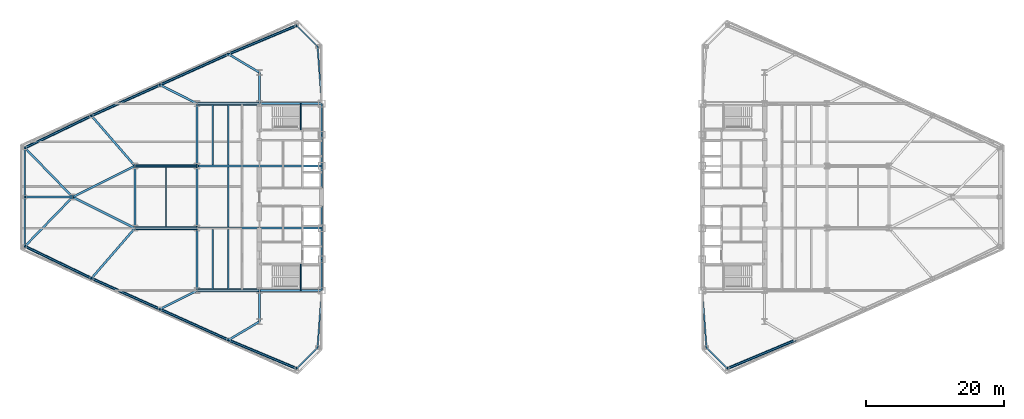
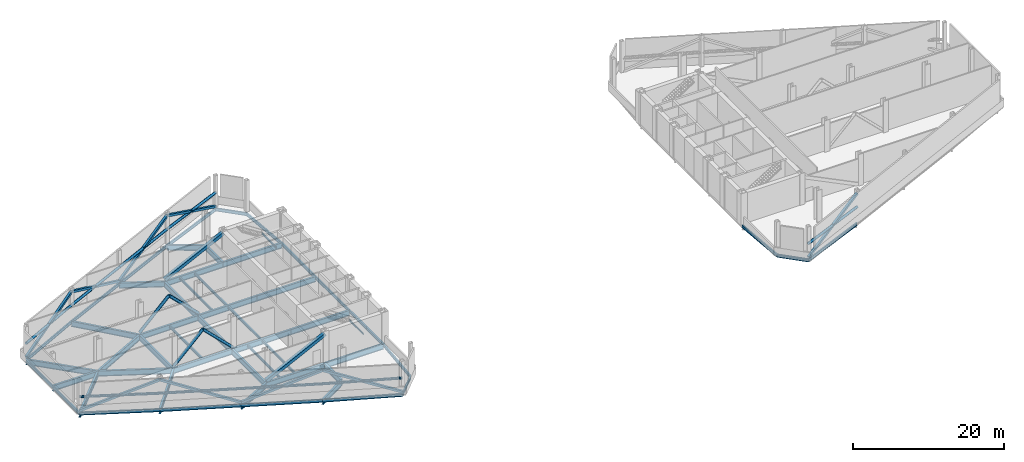
# One storey, part 3 of 11: 57 beams, 24 members.
"""IFC4 building model written with IfcOpenShell, lengths in metres."""

from ifc_helpers import new_model, si_unit, direction, frame, origin, origin_2d, place, context, subcontext, project, spatial, hollow_rectangle, hollow_circle, i_section, extrude, source, transform, mapped, material, material_profile, profile_set, type_object, type_shapes, element, save


model = new_model("IFC4")

# Units and contexts
model_context = context("Model", 3, precision=1e-05, world=origin(), true_north=direction((0.0, 1.0)))
body_context = subcontext(model_context, "Body", "Model", "MODEL_VIEW")
ifc_project = project(units=[si_unit("LENGTHUNIT", "METRE"), si_unit("AREAUNIT", "SQUARE_METRE"), si_unit("VOLUMEUNIT", "CUBIC_METRE"), si_unit("PLANEANGLEUNIT", "RADIAN"), si_unit("MASSUNIT", "GRAM", prefix="KILO")], contexts=[model_context])

# Site, building, storey
site_placement = place(None, origin())
site = spatial("IfcSite", under=ifc_project, at=site_placement, CompositionType="ELEMENT")
building_placement = place(site_placement, origin())
building = spatial("IfcBuilding", under=site, at=building_placement, Name="Seokmaru Belvedere", CompositionType="ELEMENT")
storey_placement = place(building_placement, frame((0.0, 0.0, 87.300048828125)))
storey = spatial("IfcBuildingStorey", under=building, at=storey_placement, Name="L23", CompositionType="ELEMENT", Elevation=87.300048828125)

# Beams
ifc_material_1 = material(Name="Steel SM355 (355 MPa)", Category="steel")
ifc_material_profile_1 = material_profile(ifc_material_1, i_section(OverallWidth=0.199951171875, OverallDepth=0.5, WebThickness=0.010009765625, FlangeThickness=0.01611328125, at=origin_2d()), Name="H-500x200x10x16")
ifc_profile_set_1 = profile_set([ifc_material_profile_1], Name="Steel SM355 (355 MPa)")
beam_type_1 = type_object("IfcBeamType", Name="Perimeter Spandrel Beam H-500", PredefinedType="SPANDREL", material=ifc_profile_set_1)
shared_shape_1 = source(origin(), body_context, "Body", "SweptSolid", [
    extrude(i_section(OverallWidth=0.199951171875, OverallDepth=0.5, WebThickness=0.010009765625, FlangeThickness=0.01611328125, at=origin_2d()), origin(), (0.0, 0.0, 1.0), 4.5),
])
for number, where, z_axis, x_axis, name in (
    (1, (-27.5, -13.5, -0.510009765625), (0.0, 1.0, 0.0), (-1.0, 0.0, 0.0), "L23 W Portal Spine Spandrel 1"),
    (2, (-27.5, -9.0, -0.510009765625), (0.0, 1.0, 0.0), (-1.0, 0.0, 0.0), "L23 W Portal Spine Spandrel 2"),
    (3, (-27.5, 4.5, -0.510009765625), (0.0, 1.0, 0.0), (-1.0, 0.0, 0.0), "L23 W Portal Spine Spandrel 4"),
    (4, (-27.5, 9.0, -0.510009765625), (0.0, 1.0, 0.0), (-1.0, 0.0, 0.0), "L23 W Portal Spine Spandrel 5"),
):
    element("IfcBeam", number, at=place(storey_placement, frame(where, z_axis=z_axis, x_axis=x_axis)), inside=storey, type_object=beam_type_1, Name=name, PredefinedType="SPANDREL", context=body_context, shape_type="MappedRepresentation", body=[
        mapped(shared_shape_1, transform((0.0, 0.0, 0.0), scale=1.0)),
    ])
shared_shape_2 = source(origin(), body_context, "Body", "SweptSolid", [
    extrude(i_section(OverallWidth=0.199951171875, OverallDepth=0.5, WebThickness=0.010009765625, FlangeThickness=0.01611328125, at=origin_2d()), origin(), (0.0, 0.0, 1.0), 9.0),
])
beam_1_placement = place(storey_placement, frame((-27.5, -4.5, -0.510009765625), z_axis=(0.0, 1.0, 0.0), x_axis=(-1.0, 0.0, 0.0)))
element("IfcBeam", 5, at=beam_1_placement, inside=storey, type_object=beam_type_1, Name="L23 W Portal Spine Spandrel 3", PredefinedType="SPANDREL", context=body_context, shape_type="MappedRepresentation", body=[
    mapped(shared_shape_2, transform((0.0, 0.0, 0.0), scale=1.0)),
])
shared_shape_3 = source(origin(), body_context, "Body", "SweptSolid", [
    extrude(i_section(OverallWidth=0.199951171875, OverallDepth=0.5, WebThickness=0.010009765625, FlangeThickness=0.01611328125, at=origin_2d()), origin(), (0.0, 0.0, 1.0), 10.66943359375),
])
for number, where, z_axis, x_axis, name in (
    (6, (-31.13134765625, -24.782958984375, -0.510009765625), (-0.922375393128, 0.386294750355, 0.0), (-0.386294750355, -0.922375393128, 0.0), "L23 W Faceted Flank Spandrel S-1"),
    (7, (-31.13134765625, 24.782958984375, -0.510009765625), (-0.922375393128, -0.386294750355, 0.0), (0.386294750355, -0.922375393128, 0.0), "L23 W Faceted Flank Spandrel N-1"),
    (8, (31.13134765625, -24.782958984375, -0.510009765625), (0.922375393128, 0.386294750355, 0.0), (-0.386294750355, 0.922375393128, 0.0), "L23 E Faceted Flank Spandrel S-1"),
):
    element("IfcBeam", number, at=place(storey_placement, frame(where, z_axis=z_axis, x_axis=x_axis)), inside=storey, type_object=beam_type_1, Name=name, PredefinedType="SPANDREL", context=body_context, shape_type="MappedRepresentation", body=[
        mapped(shared_shape_3, transform((0.0, 0.0, 0.0), scale=1.0)),
    ])
shared_shape_4 = source(origin(), body_context, "Body", "SweptSolid", [
    extrude(i_section(OverallWidth=0.199951171875, OverallDepth=0.5, WebThickness=0.010009765625, FlangeThickness=0.01611328125, at=origin_2d()), origin(), (0.0, 0.0, 1.0), 10.85888671875),
])
for number, where, z_axis, x_axis, name in (
    (9, (-40.97265625, -20.661376953125, -0.510009765625), (-0.911921505175, 0.410364677329, 0.0), (-0.410364677329, -0.911921505175, 0.0), "L23 W Faceted Flank Spandrel S-2"),
    (10, (-50.875, -16.205322265625, -0.510009765625), (-0.911925291223, 0.410356263785, 0.0), (-0.410356263785, -0.911925291223, 0.0), "L23 W Faceted Flank Spandrel S-3"),
    (11, (-40.97265625, 20.661376953125, -0.510009765625), (-0.911921505175, -0.410364677329, 0.0), (0.410364677329, -0.911921505175, 0.0), "L23 W Faceted Flank Spandrel N-2"),
    (12, (-50.875, 16.205322265625, -0.510009765625), (-0.911925291223, -0.410356263785, 0.0), (0.410356263785, -0.911925291223, 0.0), "L23 W Faceted Flank Spandrel N-3"),
):
    element("IfcBeam", number, at=place(storey_placement, frame(where, z_axis=z_axis, x_axis=x_axis)), inside=storey, type_object=beam_type_1, Name=name, PredefinedType="SPANDREL", context=body_context, shape_type="MappedRepresentation", body=[
        mapped(shared_shape_4, transform((0.0, 0.0, 0.0), scale=1.0)),
    ])
shared_shape_5 = source(origin(), body_context, "Body", "SweptSolid", [
    extrude(i_section(OverallWidth=0.199951171875, OverallDepth=0.5, WebThickness=0.010009765625, FlangeThickness=0.01611328125, at=origin_2d()), origin(), (0.0, 0.0, 1.0), 10.681396484375),
])
for number, where, z_axis, x_axis, name in (
    (13, (-60.777587890625, -11.749267578125, -0.510009765625), (-0.900846426616, 0.434137899352, 0.0), (-0.434137899352, -0.900846426616, 0.0), "L23 W Faceted Flank Spandrel S-4"),
    (14, (-60.777587890625, 11.749267578125, -0.510009765625), (-0.900846426616, -0.434137899352, 0.0), (0.434137899352, -0.900846426616, 0.0), "L23 W Faceted Flank Spandrel N-4"),
):
    element("IfcBeam", number, at=place(storey_placement, frame(where, z_axis=z_axis, x_axis=x_axis)), inside=storey, type_object=beam_type_1, Name=name, PredefinedType="SPANDREL", context=body_context, shape_type="MappedRepresentation", body=[
        mapped(shared_shape_5, transform((0.0, 0.0, 0.0), scale=1.0)),
    ])
shared_shape_6 = source(origin(), body_context, "Body", "SweptSolid", [
    extrude(i_section(OverallWidth=0.199951171875, OverallDepth=0.5, WebThickness=0.010009765625, FlangeThickness=0.01611328125, at=origin_2d()), origin(), (0.0, 0.0, 1.0), 7.112060546875),
])
for number, where, z_axis, x_axis, name in (
    (15, (-70.39990234375, -7.112060546875, -0.510009765625), (0.0, 1.0, 0.0), (-1.0, 0.0, 0.0), "L23 W Faceted Apex Spandrel S"),
    (16, (-70.39990234375, 0.0, -0.510009765625), (0.0, 1.0, 0.0), (-1.0, 0.0, 0.0), "L23 W Faceted Apex Spandrel N"),
):
    element("IfcBeam", number, at=place(storey_placement, frame(where, z_axis=z_axis, x_axis=x_axis)), inside=storey, type_object=beam_type_1, Name=name, PredefinedType="SPANDREL", context=body_context, shape_type="MappedRepresentation", body=[
        mapped(shared_shape_6, transform((0.0, 0.0, 0.0), scale=1.0)),
    ])
shared_shape_7 = source(origin(), body_context, "Body", "SweptSolid", [
    extrude(i_section(OverallWidth=0.199951171875, OverallDepth=0.5, WebThickness=0.010009765625, FlangeThickness=0.01611328125, at=origin_2d()), origin(), (0.0, 0.0, 1.0), 4.287109375),
])
for number, where, z_axis, x_axis, name in (
    (17, (-31.13134765625, -24.782958984375, -0.510009765625), (0.707078306132, 0.707135255094, 0.0), (-0.707135255094, 0.707078306132, 0.0), "L23 W Shoulder Chamfer Spandrel S"),
    (18, (-31.13134765625, 24.782958984375, -0.510009765625), (0.707078306132, -0.707135255094, 0.0), (0.707135255094, 0.707078306132, 0.0), "L23 W Shoulder Chamfer Spandrel N"),
    (19, (31.13134765625, -24.782958984375, -0.510009765625), (-0.707078306132, 0.707135255094, 0.0), (-0.707135255094, -0.707078306132, 0.0), "L23 E Shoulder Chamfer Spandrel S"),
):
    element("IfcBeam", number, at=place(storey_placement, frame(where, z_axis=z_axis, x_axis=x_axis)), inside=storey, type_object=beam_type_1, Name=name, PredefinedType="SPANDREL", context=body_context, shape_type="MappedRepresentation", body=[
        mapped(shared_shape_7, transform((0.0, 0.0, 0.0), scale=1.0)),
    ])
shared_shape_8 = source(origin(), body_context, "Body", "SweptSolid", [
    extrude(i_section(OverallWidth=0.199951171875, OverallDepth=0.5, WebThickness=0.010009765625, FlangeThickness=0.01611328125, at=origin_2d()), origin(), (0.0, 0.0, 1.0), 8.273193359375),
])
type_shapes(beam_type_1, [shared_shape_1, shared_shape_2, shared_shape_3, shared_shape_4, shared_shape_5, shared_shape_6, shared_shape_7, shared_shape_8])
for number, where, z_axis, x_axis, name in (
    (20, (-28.10009765625, -21.75146484375, -0.510009765625), (0.072534628348, 0.99736589459, 0.0), (-0.99736589459, 0.072534628348, 0.0), "L23 W Shoulder Spine Spandrel S"),
    (21, (-28.10009765625, 21.75146484375, -0.510009765625), (0.072534628348, -0.99736589459, 0.0), (0.99736589459, 0.072534628348, 0.0), "L23 W Shoulder Spine Spandrel N"),
    (22, (28.10009765625, -21.75146484375, -0.510009765625), (-0.072534628348, 0.99736589459, 0.0), (-0.99736589459, -0.072534628348, 0.0), "L23 E Shoulder Spine Spandrel S"),
):
    element("IfcBeam", number, at=place(storey_placement, frame(where, z_axis=z_axis, x_axis=x_axis)), inside=storey, type_object=beam_type_1, Name=name, PredefinedType="SPANDREL", context=body_context, shape_type="MappedRepresentation", body=[
        mapped(shared_shape_8, transform((0.0, 0.0, 0.0), scale=1.0)),
    ])
ifc_material_profile_2 = material_profile(ifc_material_1, i_section(OverallWidth=0.300048828125, OverallDepth=0.89990234375, WebThickness=0.01611328125, FlangeThickness=0.028076171875, at=origin_2d()), Name="H-900x300x16x28")
ifc_profile_set_2 = profile_set([ifc_material_profile_2], Name="Steel SM355 (355 MPa)")
beam_type_2 = type_object("IfcBeamType", Name="Refuge Floor Girder H-900", PredefinedType="BEAM", material=ifc_profile_set_2)
shared_shape_9 = source(origin(), body_context, "Body", "SweptSolid", [
    extrude(i_section(OverallWidth=0.300048828125, OverallDepth=0.89990234375, WebThickness=0.01611328125, FlangeThickness=0.028076171875, at=origin_2d()), origin(), (0.0, 0.0, 1.0), 4.5),
])
for number, where, z_axis, x_axis, name in (
    (23, (-36.5, -18.0, -0.7099609375), (0.0, 1.0, 0.0), (-1.0, 0.0, 0.0), "L23 W Core Shoulder Girder S"),
    (24, (-36.5, 13.5, -0.7099609375), (0.0, 1.0, 0.0), (-1.0, 0.0, 0.0), "L23 W Core Shoulder Girder N"),
):
    element("IfcBeam", number, at=place(storey_placement, frame(where, z_axis=z_axis, x_axis=x_axis)), inside=storey, type_object=beam_type_2, Name=name, PredefinedType="BEAM", context=body_context, shape_type="MappedRepresentation", body=[
        mapped(shared_shape_9, transform((0.0, 0.0, 0.0), scale=1.0)),
    ])
shared_shape_10 = source(origin(), body_context, "Body", "SweptSolid", [
    extrude(i_section(OverallWidth=0.300048828125, OverallDepth=0.89990234375, WebThickness=0.01611328125, FlangeThickness=0.028076171875, at=origin_2d()), origin(), (0.0, 0.0, 1.0), 9.0),
])
for number, where, z_axis, x_axis, name in (
    (25, (-45.5, -13.5, -0.7099609375), (0.0, 1.0, 0.0), (-1.0, 0.0, 0.0), "L23 W Interior Grid Girder 1"),
    (26, (-45.5, -4.5, -0.7099609375), (0.0, 1.0, 0.0), (-1.0, 0.0, 0.0), "L23 W Interior Grid Girder 2"),
    (27, (-45.5, 4.5, -0.7099609375), (0.0, 1.0, 0.0), (-1.0, 0.0, 0.0), "L23 W Interior Grid Girder 3"),
    (28, (-36.5, -13.5, -0.7099609375), (1.0, 0.0, 0.0), (0.0, 1.0, 0.0), "L23 W Core Tie Girder 1"),
    (29, (-45.5, -13.5, -0.7099609375), (1.0, 0.0, 0.0), (0.0, 1.0, 0.0), "L23 W Wing Primary Girder 1"),
    (30, (-36.5, -4.5, -0.7099609375), (1.0, 0.0, 0.0), (0.0, 1.0, 0.0), "L23 W Core Tie Girder 2"),
    (31, (-45.5, -4.5, -0.7099609375), (1.0, 0.0, 0.0), (0.0, 1.0, 0.0), "L23 W Wing Primary Girder 2"),
    (32, (-36.5, 4.5, -0.7099609375), (1.0, 0.0, 0.0), (0.0, 1.0, 0.0), "L23 W Core Tie Girder 3"),
    (33, (-45.5, 4.5, -0.7099609375), (1.0, 0.0, 0.0), (0.0, 1.0, 0.0), "L23 W Wing Primary Girder 3"),
    (34, (-36.5, 13.5, -0.7099609375), (1.0, 0.0, 0.0), (0.0, 1.0, 0.0), "L23 W Core Tie Girder 4"),
    (35, (-45.5, 13.5, -0.7099609375), (1.0, 0.0, 0.0), (0.0, 1.0, 0.0), "L23 W Wing Primary Girder 4"),
    (36, (-54.5, -4.5, -0.7099609375), (1.0, 0.0, 0.0), (0.0, 1.0, 0.0), "L23 W Outer Wing Girder 1"),
    (37, (-54.5, 4.5, -0.7099609375), (1.0, 0.0, 0.0), (0.0, 1.0, 0.0), "L23 W Outer Wing Girder 2"),
    (38, (-54.5, -4.5, -0.7099609375), (0.0, 1.0, 0.0), (-1.0, 0.0, 0.0), "L23 W Apex Frame Girder"),
):
    element("IfcBeam", number, at=place(storey_placement, frame(where, z_axis=z_axis, x_axis=x_axis)), inside=storey, type_object=beam_type_2, Name=name, PredefinedType="BEAM", context=body_context, shape_type="MappedRepresentation", body=[
        mapped(shared_shape_10, transform((0.0, 0.0, 0.0), scale=1.0)),
    ])
shared_shape_11 = source(origin(), body_context, "Body", "SweptSolid", [
    extrude(i_section(OverallWidth=0.300048828125, OverallDepth=0.89990234375, WebThickness=0.01611328125, FlangeThickness=0.028076171875, at=origin_2d()), origin(), (0.0, 0.0, 1.0), 10.062255859375),
])
for number, where, z_axis, x_axis, name in (
    (39, (-54.5, -4.5, -0.7099609375), (-0.894427191, 0.4472135955, 0.0), (-0.4472135955, -0.894427191, 0.0), "L23 W Apex Converging Girder 1"),
    (40, (-54.5, 4.5, -0.7099609375), (-0.894427191, -0.4472135955, 0.0), (0.4472135955, -0.894427191, 0.0), "L23 W Apex Converging Girder 2"),
):
    element("IfcBeam", number, at=place(storey_placement, frame(where, z_axis=z_axis, x_axis=x_axis)), inside=storey, type_object=beam_type_2, Name=name, PredefinedType="BEAM", context=body_context, shape_type="MappedRepresentation", body=[
        mapped(shared_shape_11, transform((0.0, 0.0, 0.0), scale=1.0)),
    ])
ifc_material_profile_3 = material_profile(ifc_material_1, i_section(OverallWidth=0.199951171875, OverallDepth=0.39990234375, WebThickness=0.008056640625, FlangeThickness=0.012939453125, at=origin_2d()), Name="H-400x200x8x13")
ifc_profile_set_3 = profile_set([ifc_material_profile_3], Name="Steel SM355 (355 MPa)")
beam_type_3 = type_object("IfcBeamType", Name="Secondary Floor Joist H-400", PredefinedType="JOIST", material=ifc_profile_set_3)
shared_shape_12 = source(origin(), body_context, "Body", "SweptSolid", [
    extrude(i_section(OverallWidth=0.199951171875, OverallDepth=0.39990234375, WebThickness=0.008056640625, FlangeThickness=0.012939453125, at=origin_2d()), origin(), (0.0, 0.0, 1.0), 8.68994140625),
])
type_shapes(beam_type_3, [shared_shape_12])
for number, where, z_axis, x_axis, name in (
    (41, (-43.25, -13.344970703125, -0.4599609375), (0.0, 1.0, 0.0), (-1.0, 0.0, 0.0), "L23 W Wing Inner Secondary Joist 1"),
    (42, (-43.25, 4.655029296875, -0.4599609375), (0.0, 1.0, 0.0), (-1.0, 0.0, 0.0), "L23 W Wing Inner Secondary Joist 2"),
    (43, (-41.0, -13.344970703125, -0.4599609375), (0.0, 1.0, 0.0), (-1.0, 0.0, 0.0), "L23 W Secondary Floor Joist 1"),
    (44, (-41.0, -4.344970703125, -0.4599609375), (0.0, 1.0, 0.0), (-1.0, 0.0, 0.0), "L23 W Secondary Floor Joist 2"),
    (45, (-41.0, 4.655029296875, -0.4599609375), (0.0, 1.0, 0.0), (-1.0, 0.0, 0.0), "L23 W Secondary Floor Joist 3"),
    (46, (-50.0, -4.344970703125, -0.4599609375), (0.0, 1.0, 0.0), (-1.0, 0.0, 0.0), "L23 W Outer Bay Secondary Joist"),
):
    element("IfcBeam", number, at=place(storey_placement, frame(where, z_axis=z_axis, x_axis=x_axis)), inside=storey, type_object=beam_type_3, Name=name, PredefinedType="JOIST", context=body_context, shape_type="MappedRepresentation", body=[
        mapped(shared_shape_12, transform((0.0, 0.0, 0.0), scale=1.0)),
    ])
shared_shape_13 = source(origin(), body_context, "Body", "SweptSolid", [
    extrude(i_section(OverallWidth=0.300048828125, OverallDepth=0.89990234375, WebThickness=0.01611328125, FlangeThickness=0.028076171875, at=origin_2d()), origin(), (0.0, 0.0, 1.0), 5.20458984375),
])
for number, where, z_axis, x_axis, name in (
    (47, (-40.97265625, -20.661376953125, -0.7099609375), (0.859370434188, 0.511353553662, 0.0), (-0.511353553662, 0.859370434188, 0.0), "L23 W Flank Radial Floor Girder S-1"),
    (48, (-40.97265625, 20.661376953125, -0.7099609375), (0.859370434188, -0.511353553662, 0.0), (0.511353553662, 0.859370434188, 0.0), "L23 W Flank Radial Floor Girder N-1"),
):
    element("IfcBeam", number, at=place(storey_placement, frame(where, z_axis=z_axis, x_axis=x_axis)), inside=storey, type_object=beam_type_2, Name=name, PredefinedType="BEAM", context=body_context, shape_type="MappedRepresentation", body=[
        mapped(shared_shape_13, transform((0.0, 0.0, 0.0), scale=1.0)),
    ])
shared_shape_14 = source(origin(), body_context, "Body", "SweptSolid", [
    extrude(i_section(OverallWidth=0.300048828125, OverallDepth=0.89990234375, WebThickness=0.01611328125, FlangeThickness=0.028076171875, at=origin_2d()), origin(), (0.0, 0.0, 1.0), 6.017333984375),
])
for number, where, z_axis, x_axis, name in (
    (49, (-50.875, -16.205322265625, -0.7099609375), (0.893239341975, 0.449581447512, 0.0), (-0.449581447512, 0.893239341975, 0.0), "L23 W Flank Radial Floor Girder S-2"),
    (50, (-50.875, 16.205322265625, -0.7099609375), (0.893239341975, -0.449581447512, 0.0), (0.449581447512, 0.893239341975, 0.0), "L23 W Flank Radial Floor Girder N-2"),
):
    element("IfcBeam", number, at=place(storey_placement, frame(where, z_axis=z_axis, x_axis=x_axis)), inside=storey, type_object=beam_type_2, Name=name, PredefinedType="BEAM", context=body_context, shape_type="MappedRepresentation", body=[
        mapped(shared_shape_14, transform((0.0, 0.0, 0.0), scale=1.0)),
    ])
shared_shape_15 = source(origin(), body_context, "Body", "SweptSolid", [
    extrude(i_section(OverallWidth=0.300048828125, OverallDepth=0.89990234375, WebThickness=0.01611328125, FlangeThickness=0.028076171875, at=origin_2d()), origin(), (0.0, 0.0, 1.0), 9.589599609375),
])
for number, where, z_axis, x_axis, name in (
    (51, (-60.777587890625, -11.749267578125, -0.7099609375), (0.654626140929, 0.755952786629, 0.0), (-0.755952786629, 0.654626140929, 0.0), "L23 W Flank Radial Floor Girder S-3"),
    (52, (-60.777587890625, 11.749267578125, -0.7099609375), (0.654626140929, -0.755952786629, 0.0), (0.755952786629, 0.654626140929, 0.0), "L23 W Flank Radial Floor Girder N-3"),
):
    element("IfcBeam", number, at=place(storey_placement, frame(where, z_axis=z_axis, x_axis=x_axis)), inside=storey, type_object=beam_type_2, Name=name, PredefinedType="BEAM", context=body_context, shape_type="MappedRepresentation", body=[
        mapped(shared_shape_15, transform((0.0, 0.0, 0.0), scale=1.0)),
    ])
shared_shape_16 = source(origin(), body_context, "Body", "SweptSolid", [
    extrude(i_section(OverallWidth=0.300048828125, OverallDepth=0.89990234375, WebThickness=0.01611328125, FlangeThickness=0.028076171875, at=origin_2d()), origin(), (0.0, 0.0, 1.0), 9.9091796875),
])
for number, where, z_axis, x_axis, name in (
    (53, (-70.39990234375, -7.112060546875, -0.7099609375), (0.6963205089, 0.717730972499, 0.0), (-0.717730972499, 0.6963205089, 0.0), "L23 W Apex Radial Floor Girder 1"),
    (54, (-70.39990234375, 7.112060546875, -0.7099609375), (0.6963205089, -0.717730972499, 0.0), (0.717730972499, 0.6963205089, 0.0), "L23 W Apex Radial Floor Girder 2"),
):
    element("IfcBeam", number, at=place(storey_placement, frame(where, z_axis=z_axis, x_axis=x_axis)), inside=storey, type_object=beam_type_2, Name=name, PredefinedType="BEAM", context=body_context, shape_type="MappedRepresentation", body=[
        mapped(shared_shape_16, transform((0.0, 0.0, 0.0), scale=1.0)),
    ])
shared_shape_17 = source(origin(), body_context, "Body", "SweptSolid", [
    extrude(i_section(OverallWidth=0.300048828125, OverallDepth=0.89990234375, WebThickness=0.01611328125, FlangeThickness=0.028076171875, at=origin_2d()), origin(), (0.0, 0.0, 1.0), 6.89990234375),
])
type_shapes(beam_type_2, [shared_shape_9, shared_shape_10, shared_shape_11, shared_shape_13, shared_shape_14, shared_shape_15, shared_shape_16, shared_shape_17])
beam_2_placement = place(storey_placement, frame((-70.39990234375, 0.0, -0.7099609375), z_axis=(1.0, 0.0, 0.0), x_axis=(0.0, 1.0, 0.0)))
element("IfcBeam", 55, at=beam_2_placement, inside=storey, type_object=beam_type_2, Name="L23 W Apex Center Radial Girder", PredefinedType="BEAM", context=body_context, shape_type="MappedRepresentation", body=[
    mapped(shared_shape_17, transform((0.0, 0.0, 0.0), scale=1.0)),
])

# Members
ifc_material_2 = material(Name="Steel HSA650 (650 MPa)", Category="steel")
ifc_material_profile_4 = material_profile(ifc_material_2, hollow_rectangle(XDim=0.5, YDim=0.5, WallThickness=0.02001953125, at=origin_2d()), Name="HSS-500x500x20")
ifc_profile_set_4 = profile_set([ifc_material_profile_4], Name="Steel HSA650 (650 MPa)")
member_type_1 = type_object("IfcMemberType", Name="Outrigger Truss Diagonal HSS-500", PredefinedType="BRACE", material=ifc_profile_set_4)
shared_shape_18 = source(origin(), body_context, "Body", "SweptSolid", [
    extrude(hollow_rectangle(XDim=0.5, YDim=0.5, WallThickness=0.02001953125, at=origin_2d()), origin(), (0.0, 0.0, 1.0), 10.03125),
])
type_shapes(member_type_1, [shared_shape_18])
for number, where, z_axis, x_axis, name in (
    (56, (-45.5, -13.5, 0.0), (0.897203761247, 0.0, 0.441616814449), (0.0, 1.0, 0.0), "L23 W Outrigger Truss Diagonal 1A"),
    (57, (-45.5, 13.5, 0.0), (0.897203761247, 0.0, 0.441616814449), (0.0, 1.0, 0.0), "L23 W Outrigger Truss Diagonal 4A"),
):
    element("IfcMember", number, at=place(storey_placement, frame(where, z_axis=z_axis, x_axis=x_axis)), inside=storey, type_object=member_type_1, Name=name, PredefinedType="BRACE", context=body_context, shape_type="MappedRepresentation", body=[
        mapped(shared_shape_18, transform((0.0, 0.0, 0.0), scale=1.0)),
    ])
ifc_material_profile_5 = material_profile(ifc_material_2, hollow_circle(Radius=0.228515625, WallThickness=0.01611328125, at=origin_2d()), Name="CHS-457.2x16.0")
ifc_profile_set_5 = profile_set([ifc_material_profile_5], Name="Steel HSA650 (650 MPa)")
member_type_2 = type_object("IfcMemberType", Name="Outrigger Tie Strut CHS-457", PredefinedType="BRACE", material=ifc_profile_set_5)
shared_shape_19 = source(origin(), body_context, "Body", "SweptSolid", [
    extrude(hollow_circle(Radius=0.228515625, WallThickness=0.01611328125, at=origin_2d()), origin(), (0.0, 0.0, 1.0), 6.314697265625),
])
type_shapes(member_type_2, [shared_shape_19])
for number, where, z_axis, x_axis, name in (
    (58, (-45.5, -4.5, 0.0), (-0.712633129905, 0.0, 0.701536900072), (0.0, -1.0, 0.0), "L23 W Outrigger Truss Diagonal 2A"),
    (59, (-54.5, -4.5, 0.0), (0.712633129905, 0.0, 0.701536900072), (0.0, 1.0, 0.0), "L23 W Outrigger Truss Diagonal 2B"),
    (60, (-45.5, 4.5, 0.0), (-0.712633129905, 0.0, 0.701536900072), (0.0, -1.0, 0.0), "L23 W Outrigger Truss Diagonal 3A"),
    (61, (-54.5, 4.5, 0.0), (0.712633129905, 0.0, 0.701536900072), (0.0, 1.0, 0.0), "L23 W Outrigger Truss Diagonal 3B"),
):
    element("IfcMember", number, at=place(storey_placement, frame(where, z_axis=z_axis, x_axis=x_axis)), inside=storey, type_object=member_type_2, Name=name, PredefinedType="BRACE", context=body_context, shape_type="MappedRepresentation", body=[
        mapped(shared_shape_19, transform((0.0, 0.0, 0.0), scale=1.0)),
    ])
ifc_material_profile_6 = material_profile(ifc_material_2, hollow_rectangle(XDim=0.35009765625, YDim=0.35009765625, WallThickness=0.013916015625, at=origin_2d()), Name="HSS-350x350x14")
ifc_profile_set_6 = profile_set([ifc_material_profile_6], Name="Steel HSA650 (650 MPa)")
member_type_3 = type_object("IfcMemberType", Name="Belt Truss Diagonal HSS-350", PredefinedType="BRACE", material=ifc_profile_set_6)
shared_shape_20 = source(origin(), body_context, "Body", "SweptSolid", [
    extrude(hollow_rectangle(XDim=0.35009765625, YDim=0.35009765625, WallThickness=0.013916015625, at=origin_2d()), origin(), (0.0, 0.0, 1.0), 11.552734375),
])
for number, where, z_axis, x_axis, name in (
    (62, (-31.13134765625, -24.782958984375, 0.0), (-0.851867924986, 0.356765921846, 0.383456797293), (-0.386294750355, -0.922375393128, 0.0), "L23 W Perimeter Belt Truss Brace 1"),
    (63, (-31.13134765625, 24.782958984375, 0.0), (-0.851867924986, -0.356765921846, 0.383456797293), (0.386294750355, -0.922375393128, 0.0), "L23 W Perimeter Belt Truss Brace 5"),
    (64, (31.13134765625, -24.782958984375, 0.0), (0.851867924986, 0.356765921846, 0.383456797293), (-0.386294750355, 0.922375393128, 0.0), "L23 E Perimeter Belt Truss Brace 1"),
):
    element("IfcMember", number, at=place(storey_placement, frame(where, z_axis=z_axis, x_axis=x_axis)), inside=storey, type_object=member_type_3, Name=name, PredefinedType="BRACE", context=body_context, shape_type="MappedRepresentation", body=[
        mapped(shared_shape_20, transform((0.0, 0.0, 0.0), scale=1.0)),
    ])
ifc_material_profile_7 = material_profile(ifc_material_1, hollow_circle(Radius=0.203125, WallThickness=0.01416015625, at=origin_2d()), Name="CHS-406.4x14.2")
ifc_profile_set_7 = profile_set([ifc_material_profile_7], Name="Steel SM355 (355 MPa)")
member_type_4 = type_object("IfcMemberType", Name="Belt Truss Chord Member CHS-406", PredefinedType="CHORD", material=ifc_profile_set_7)
shared_shape_21 = source(origin(), body_context, "Body", "SweptSolid", [
    extrude(hollow_circle(Radius=0.203125, WallThickness=0.01416015625, at=origin_2d()), origin(), (0.0, 0.0, 1.0), 10.66943359375),
])
for number, where, z_axis, x_axis, name in (
    (65, (-31.13134765625, -24.782958984375, 2.21484375), (-0.922375393128, 0.386294750355, 0.0), (-0.386294750355, -0.922375393128, 0.0), "L23 W Perimeter Belt Truss Chord 1"),
    (66, (-31.13134765625, 24.782958984375, 2.21484375), (-0.922375393128, -0.386294750355, 0.0), (0.386294750355, -0.922375393128, 0.0), "L23 W Perimeter Belt Truss Chord 5"),
    (67, (31.13134765625, -24.782958984375, 2.21484375), (0.922375393128, 0.386294750355, 0.0), (-0.386294750355, 0.922375393128, 0.0), "L23 E Perimeter Belt Truss Chord 1"),
):
    element("IfcMember", number, at=place(storey_placement, frame(where, z_axis=z_axis, x_axis=x_axis)), inside=storey, type_object=member_type_4, Name=name, PredefinedType="CHORD", context=body_context, shape_type="MappedRepresentation", body=[
        mapped(shared_shape_21, transform((0.0, 0.0, 0.0), scale=1.0)),
    ])
shared_shape_22 = source(origin(), body_context, "Body", "SweptSolid", [
    extrude(hollow_rectangle(XDim=0.35009765625, YDim=0.35009765625, WallThickness=0.013916015625, at=origin_2d()), origin(), (0.0, 0.0, 1.0), 11.7275390625),
])
for number, where, z_axis, x_axis, name in (
    (68, (-40.97265625, -20.661376953125, 4.429931640625), (-0.844360717739, 0.379962322982, -0.377734842785), (-0.410364677329, -0.911921505175, 0.0), "L23 W Perimeter Belt Truss Brace 2"),
    (69, (-40.97265625, 20.661376953125, 4.429931640625), (-0.844360717739, -0.379962322982, -0.377734842785), (0.410364677329, -0.911921505175, 0.0), "L23 W Perimeter Belt Truss Brace 6"),
):
    element("IfcMember", number, at=place(storey_placement, frame(where, z_axis=z_axis, x_axis=x_axis)), inside=storey, type_object=member_type_3, Name=name, PredefinedType="BRACE", context=body_context, shape_type="MappedRepresentation", body=[
        mapped(shared_shape_22, transform((0.0, 0.0, 0.0), scale=1.0)),
    ])
shared_shape_23 = source(origin(), body_context, "Body", "SweptSolid", [
    extrude(hollow_circle(Radius=0.203125, WallThickness=0.01416015625, at=origin_2d()), origin(), (0.0, 0.0, 1.0), 10.85888671875),
])
for number, where, z_axis, x_axis, name in (
    (70, (-40.97265625, -20.661376953125, 2.21484375), (-0.911921505175, 0.410364677329, 0.0), (-0.410364677329, -0.911921505175, 0.0), "L23 W Perimeter Belt Truss Chord 2"),
    (71, (-50.875, -16.205322265625, 2.21484375), (-0.911925291223, 0.410356263785, 0.0), (-0.410356263785, -0.911925291223, 0.0), "L23 W Perimeter Belt Truss Chord 3"),
    (72, (-40.97265625, 20.661376953125, 2.21484375), (-0.911921505175, -0.410364677329, 0.0), (0.410364677329, -0.911921505175, 0.0), "L23 W Perimeter Belt Truss Chord 6"),
    (73, (-50.875, 16.205322265625, 2.21484375), (-0.911925291223, -0.410356263785, 0.0), (0.410356263785, -0.911925291223, 0.0), "L23 W Perimeter Belt Truss Chord 7"),
):
    element("IfcMember", number, at=place(storey_placement, frame(where, z_axis=z_axis, x_axis=x_axis)), inside=storey, type_object=member_type_4, Name=name, PredefinedType="CHORD", context=body_context, shape_type="MappedRepresentation", body=[
        mapped(shared_shape_23, transform((0.0, 0.0, 0.0), scale=1.0)),
    ])
shared_shape_24 = source(origin(), body_context, "Body", "SweptSolid", [
    extrude(hollow_rectangle(XDim=0.35009765625, YDim=0.35009765625, WallThickness=0.013916015625, at=origin_2d()), origin(), (0.0, 0.0, 1.0), 11.727783203125),
])
for number, where, z_axis, x_axis, name in (
    (74, (-50.875, -16.205322265625, 0.0), (-0.844366693369, 0.379955644273, 0.377728203229), (-0.410356263785, -0.911925291223, 0.0), "L23 W Perimeter Belt Truss Brace 3"),
    (75, (-50.875, 16.205322265625, 0.0), (-0.844366693369, -0.379955644273, 0.377728203229), (0.410356263785, -0.911925291223, 0.0), "L23 W Perimeter Belt Truss Brace 7"),
):
    element("IfcMember", number, at=place(storey_placement, frame(where, z_axis=z_axis, x_axis=x_axis)), inside=storey, type_object=member_type_3, Name=name, PredefinedType="BRACE", context=body_context, shape_type="MappedRepresentation", body=[
        mapped(shared_shape_24, transform((0.0, 0.0, 0.0), scale=1.0)),
    ])
shared_shape_25 = source(origin(), body_context, "Body", "SweptSolid", [
    extrude(hollow_rectangle(XDim=0.35009765625, YDim=0.35009765625, WallThickness=0.013916015625, at=origin_2d()), origin(), (0.0, 0.0, 1.0), 11.563720703125),
])
type_shapes(member_type_3, [shared_shape_20, shared_shape_22, shared_shape_24, shared_shape_25])
for number, where, z_axis, x_axis, name in (
    (76, (-60.777587890625, -11.749267578125, 4.429931640625), (-0.83212077514, 0.401017481618, -0.383092671578), (-0.434137899352, -0.900846426616, 0.0), "L23 W Perimeter Belt Truss Brace 4"),
    (77, (-60.777587890625, 11.749267578125, 4.429931640625), (-0.83212077514, -0.401017481618, -0.383092671578), (0.434137899352, -0.900846426616, 0.0), "L23 W Perimeter Belt Truss Brace 8"),
):
    element("IfcMember", number, at=place(storey_placement, frame(where, z_axis=z_axis, x_axis=x_axis)), inside=storey, type_object=member_type_3, Name=name, PredefinedType="BRACE", context=body_context, shape_type="MappedRepresentation", body=[
        mapped(shared_shape_25, transform((0.0, 0.0, 0.0), scale=1.0)),
    ])
shared_shape_26 = source(origin(), body_context, "Body", "SweptSolid", [
    extrude(hollow_circle(Radius=0.203125, WallThickness=0.01416015625, at=origin_2d()), origin(), (0.0, 0.0, 1.0), 10.681396484375),
])
type_shapes(member_type_4, [shared_shape_21, shared_shape_23, shared_shape_26])
for number, where, z_axis, x_axis, name in (
    (78, (-60.777587890625, -11.749267578125, 2.21484375), (-0.900846426616, 0.434137899352, 0.0), (-0.434137899352, -0.900846426616, 0.0), "L23 W Perimeter Belt Truss Chord 4"),
    (79, (-60.777587890625, 11.749267578125, 2.21484375), (-0.900846426616, -0.434137899352, 0.0), (0.434137899352, -0.900846426616, 0.0), "L23 W Perimeter Belt Truss Chord 8"),
):
    element("IfcMember", number, at=place(storey_placement, frame(where, z_axis=z_axis, x_axis=x_axis)), inside=storey, type_object=member_type_4, Name=name, PredefinedType="CHORD", context=body_context, shape_type="MappedRepresentation", body=[
        mapped(shared_shape_26, transform((0.0, 0.0, 0.0), scale=1.0)),
    ])

# Beams
ifc_material_profile_8 = material_profile(ifc_material_1, i_section(OverallWidth=0.125, OverallDepth=0.25, WebThickness=0.006103515625, FlangeThickness=0.009033203125, at=origin_2d()), Name="H-250x125x6x9")
ifc_profile_set_8 = profile_set([ifc_material_profile_8], Name="Steel SM355 (355 MPa)")
beam_type_4 = type_object("IfcBeamType", Name="Stair Mid-Landing Support Beam H-250", PredefinedType="JOIST", material=ifc_profile_set_8)
shared_shape_27 = source(origin(), body_context, "Body", "SweptSolid", [
    extrude(i_section(OverallWidth=0.125, OverallDepth=0.25, WebThickness=0.006103515625, FlangeThickness=0.009033203125, at=origin_2d()), origin(), (0.0, 0.0, 1.0), 3.800048828125),
])
type_shapes(beam_type_4, [shared_shape_27])
for number, where, z_axis, x_axis, name in (
    (80, (-30.530029296875, -13.5, 2.224853515625), (0.0, 1.0, 0.0), (-1.0, 0.0, 0.0), "L23 Stair ST-W1 Mid-Landing Support Beam 1"),
    (81, (-30.530029296875, 9.699951171875, 2.224853515625), (0.0, 1.0, 0.0), (-1.0, 0.0, 0.0), "L23 Stair ST-W2 Mid-Landing Support Beam 1"),
):
    element("IfcBeam", number, at=place(storey_placement, frame(where, z_axis=z_axis, x_axis=x_axis)), inside=storey, type_object=beam_type_4, Name=name, PredefinedType="JOIST", context=body_context, shape_type="MappedRepresentation", body=[
        mapped(shared_shape_27, transform((0.0, 0.0, 0.0), scale=1.0)),
    ])

save(model, "model.ifc")
